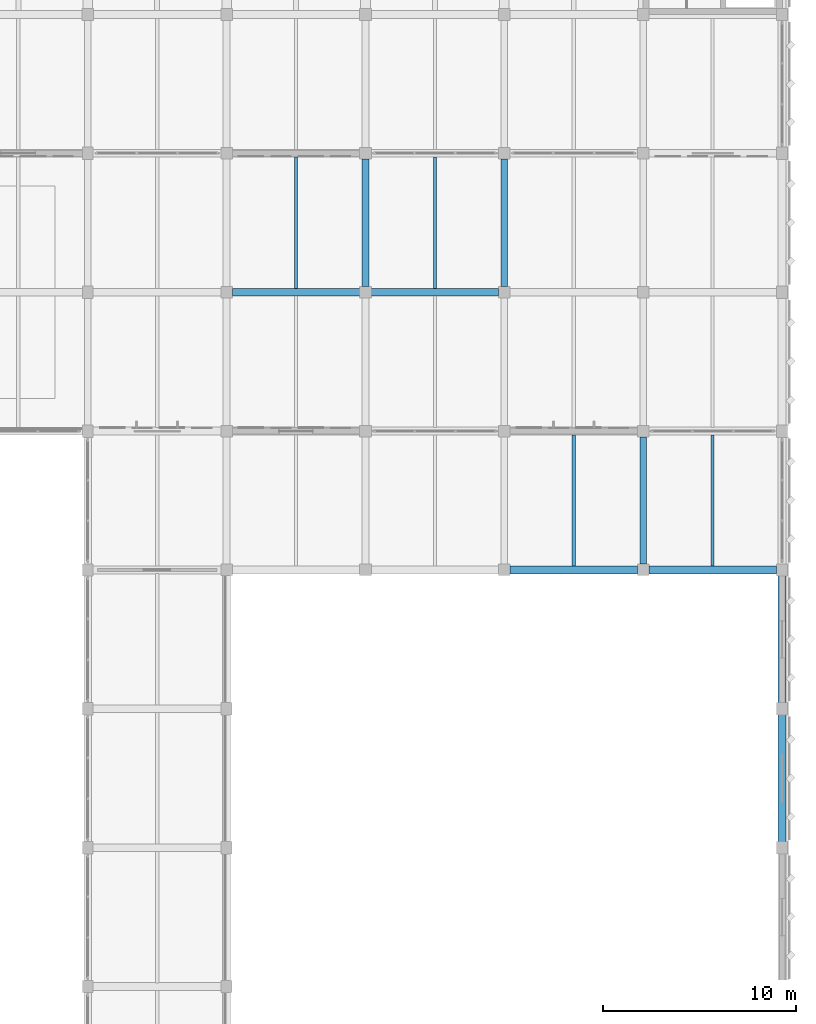
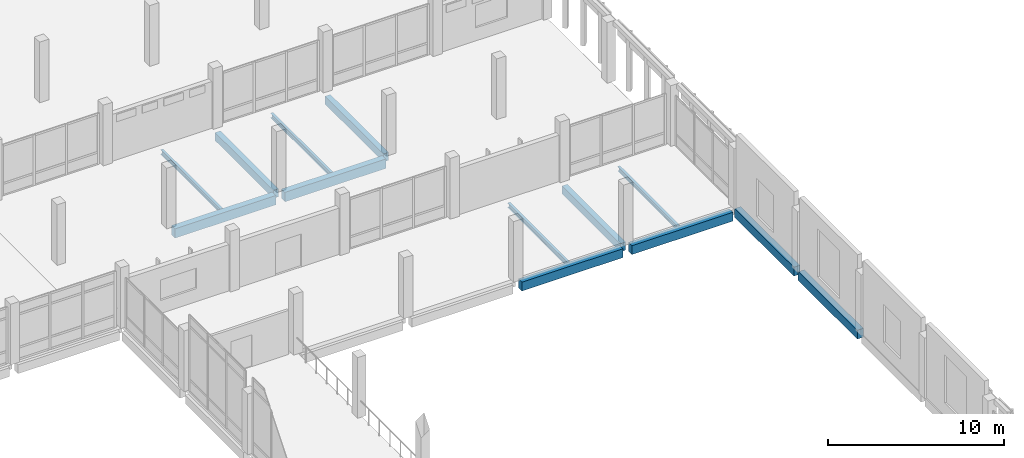
# One storey, part 103 of 158: 13 beams.
"""IFC4 building model written with IfcOpenShell, lengths in metres."""

from ifc_helpers import new_model, si_unit, direction, frame, origin, origin_2d, place, context, subcontext, project, spatial, rectangle, i_section, extrude, material, material_profile, profile_set, type_object, element, save


model = new_model("IFC4")

# Units and contexts
model_context = context("Model", 3, precision=1e-05, world=origin(), true_north=direction((0.0, 1.0)))
body_context = subcontext(model_context, "Body", "Model", "MODEL_VIEW")
ifc_project = project(units=[si_unit("LENGTHUNIT", "METRE"), si_unit("AREAUNIT", "SQUARE_METRE"), si_unit("VOLUMEUNIT", "CUBIC_METRE"), si_unit("PLANEANGLEUNIT", "RADIAN"), si_unit("MASSUNIT", "GRAM", prefix="KILO")], contexts=[model_context])

# Site, building, storey
site_placement = place(None, origin())
site = spatial("IfcSite", under=ifc_project, at=site_placement, CompositionType="ELEMENT")
building_placement = place(site_placement, origin())
building = spatial("IfcBuilding", under=site, at=building_placement, Name="Lusvemor Sports Hall", CompositionType="ELEMENT")
storey_placement = place(building_placement, frame((0.0, 0.0, 10.800048828125)))
storey = spatial("IfcBuildingStorey", under=building, at=storey_placement, Name="L02", CompositionType="ELEMENT", Elevation=10.800048828125)

# Beams
ifc_material_1 = material(Name="Concrete C40/50", Category="concrete")
ifc_material_profile_1 = material_profile(ifc_material_1, rectangle(XDim=0.35009765625, YDim=0.550048828125, at=origin_2d()), Name="RC350x550")
ifc_profile_set_1 = profile_set([ifc_material_profile_1], Name="Concrete C40/50")
beam_type_1 = type_object("IfcBeamType", Name="BEAM_RC_550", PredefinedType="BEAM", material=ifc_profile_set_1)
for number, where, z_axis, x_axis, name in (
    (1, (147.60009765625, 90.2958984375, -0.53515625), (0.0, 1.0, 0.0), (-1.0, 0.0, 0.0), "Beam L02 17:M-N"),
    (2, (154.800048828125, 90.2958984375, -0.53515625), (0.0, 1.0, 0.0), (-1.0, 0.0, 0.0), "Beam L02 18:M-N"),
):
    element("IfcBeam", number, at=place(storey_placement, frame(where, z_axis=z_axis, x_axis=x_axis)), inside=storey, type_object=beam_type_1, Name=name, PredefinedType="BEAM", context=body_context, shape_type="SweptSolid", body=[
        extrude(rectangle(XDim=0.35009765625, YDim=0.550048828125, at=origin_2d()), origin(), (0.0, 0.0, 1.0), 6.608154296875),
    ])
beam_1_placement = place(storey_placement, frame((162.0, 75.89599609375, -0.53515625), z_axis=(0.0, 1.0, 0.0), x_axis=(-1.0, 0.0, 0.0)))
element("IfcBeam", 3, at=beam_1_placement, inside=storey, type_object=beam_type_1, Name="Beam L02 19:K-L", PredefinedType="BEAM", context=body_context, shape_type="SweptSolid", body=[
    extrude(rectangle(XDim=0.35009765625, YDim=0.550048828125, at=origin_2d()), origin(), (0.0, 0.0, 1.0), 6.60791015625),
])
ifc_material_2 = material(Name="Concrete C40/50", Category="concrete")
ifc_material_profile_2 = material_profile(ifc_material_2, rectangle(XDim=0.39990234375, YDim=0.64990234375, at=origin_2d()), Name="RC400x650")
ifc_profile_set_2 = profile_set([ifc_material_profile_2], Name="Concrete C40/50")
beam_type_2 = type_object("IfcBeamType", Name="BEAM_RC_650", PredefinedType="BEAM", material=ifc_profile_set_2)
for number, where, z_axis, x_axis, name in (
    (4, (140.696044921875, 90.0, -0.5849609375), (1.0, 0.0, 0.0), (0.0, 1.0, 0.0), "Beam L02 M:16-17"),
    (5, (147.89599609375, 90.0, -0.5849609375), (1.0, 0.0, 0.0), (0.0, 1.0, 0.0), "Beam L02 M:17-18"),
):
    element("IfcBeam", number, at=place(storey_placement, frame(where, z_axis=z_axis, x_axis=x_axis)), inside=storey, type_object=beam_type_2, Name=name, PredefinedType="BEAM", context=body_context, shape_type="SweptSolid", body=[
        extrude(rectangle(XDim=0.39990234375, YDim=0.64990234375, at=origin_2d()), origin(), (0.0, 0.0, 1.0), 6.60791015625),
    ])
ifc_material_3 = material(Name="Steel S355", Category="steel")
ifc_material_profile_3 = material_profile(ifc_material_3, i_section(OverallWidth=0.1669921875, OverallDepth=0.31689453125, WebThickness=0.007568359375, FlangeThickness=0.01318359375, FilletRadius=0.014892578125, at=origin_2d()), Name="W310x52.0")
ifc_profile_set_3 = profile_set([ifc_material_profile_3], Name="Steel S355")
beam_type_3 = type_object("IfcBeamType", Name="JOIST_ST_310M", PredefinedType="JOIST", material=ifc_profile_set_3)
for number, where, z_axis, x_axis, name in (
    (6, (144.0, 90.196044921875, -0.422607421875), (0.0, 1.0, 0.0), (-1.0, 0.0, 0.0), "Secondary Joist L02 16-17/M-N #1"),
    (7, (151.199951171875, 90.196044921875, -0.422607421875), (0.0, 1.0, 0.0), (-1.0, 0.0, 0.0), "Secondary Joist L02 17-18/M-N #1"),
):
    element("IfcBeam", number, at=place(storey_placement, frame(where, z_axis=z_axis, x_axis=x_axis)), inside=storey, type_object=beam_type_3, Name=name, PredefinedType="JOIST", context=body_context, shape_type="SweptSolid", body=[
        extrude(i_section(OverallWidth=0.1669921875, OverallDepth=0.31689453125, WebThickness=0.007568359375, FlangeThickness=0.01318359375, FilletRadius=0.014892578125, at=origin_2d()), origin(), (0.0, 0.0, 1.0), 6.807861328125),
    ])
for number, where, z_axis, x_axis, name in (
    (8, (158.39990234375, 75.7958984375, -0.422607421875), (0.0, 1.0, 0.0), (-1.0, 0.0, 0.0), "Secondary Joist L02 18-19/K-L #1"),
    (9, (165.60009765625, 75.7958984375, -0.422607421875), (0.0, 1.0, 0.0), (-1.0, 0.0, 0.0), "Secondary Joist L02 19-20/K-L #1"),
):
    element("IfcBeam", number, at=place(storey_placement, frame(where, z_axis=z_axis, x_axis=x_axis)), inside=storey, type_object=beam_type_3, Name=name, PredefinedType="JOIST", context=body_context, shape_type="SweptSolid", body=[
        extrude(i_section(OverallWidth=0.1669921875, OverallDepth=0.31689453125, WebThickness=0.007568359375, FlangeThickness=0.01318359375, FilletRadius=0.014892578125, at=origin_2d()), origin(), (0.0, 0.0, 1.0), 6.80810546875),
    ])
ifc_material_4 = material(Name="Concrete C40/50", Category="concrete")
ifc_material_profile_4 = material_profile(ifc_material_4, rectangle(XDim=0.39990234375, YDim=0.610107421875, at=origin_2d()), Name="RC400x610")
ifc_profile_set_4 = profile_set([ifc_material_profile_4], Name="Concrete C40/50")
beam_type_4 = type_object("IfcBeamType", Name="SPAND_EXT_650", PredefinedType="SPANDREL", material=ifc_profile_set_4)
beam_2_placement = place(storey_placement, frame((155.095947265625, 75.60009765625, -0.56494140625), z_axis=(1.0, 0.0, 0.0), x_axis=(0.0, 1.0, 0.0)))
element("IfcBeam", 10, at=beam_2_placement, inside=storey, type_object=beam_type_4, Name="Beam L02 K:18-19", PredefinedType="SPANDREL", context=body_context, shape_type="SweptSolid", body=[
    extrude(rectangle(XDim=0.39990234375, YDim=0.610107421875, at=origin_2d()), origin(), (0.0, 0.0, 1.0), 6.608154296875),
])
beam_3_placement = place(storey_placement, frame((162.2958984375, 75.60009765625, -0.56494140625), z_axis=(1.0, 0.0, 0.0), x_axis=(0.0, 1.0, 0.0)))
element("IfcBeam", 11, at=beam_3_placement, inside=storey, type_object=beam_type_4, Name="Beam L02 K:19-20", PredefinedType="SPANDREL", context=body_context, shape_type="SweptSolid", body=[
    extrude(rectangle(XDim=0.39990234375, YDim=0.610107421875, at=origin_2d()), origin(), (0.0, 0.0, 1.0), 6.628173828125),
])
beam_4_placement = place(storey_placement, frame((169.199951171875, 61.449951171875, -0.304931640625), z_axis=(0.0, 1.0, 0.0), x_axis=(-1.0, 0.0, 0.0)))
element("IfcBeam", 12, at=beam_4_placement, inside=storey, type_object=beam_type_4, Name="Climbing Hall East Girt L02-3", PredefinedType="SPANDREL", context=body_context, shape_type="SweptSolid", body=[
    extrude(rectangle(XDim=0.39990234375, YDim=0.610107421875, at=origin_2d()), origin(), (0.0, 0.0, 1.0), 6.699951171875),
])
beam_5_placement = place(storey_placement, frame((169.199951171875, 68.64990234375, -0.304931640625), z_axis=(0.0, 1.0, 0.0), x_axis=(-1.0, 0.0, 0.0)))
element("IfcBeam", 13, at=beam_5_placement, inside=storey, type_object=beam_type_4, Name="Climbing Hall East Girt L02-4", PredefinedType="SPANDREL", context=body_context, shape_type="SweptSolid", body=[
    extrude(rectangle(XDim=0.39990234375, YDim=0.610107421875, at=origin_2d()), origin(), (0.0, 0.0, 1.0), 6.7001953125),
])

save(model, "model.ifc")
